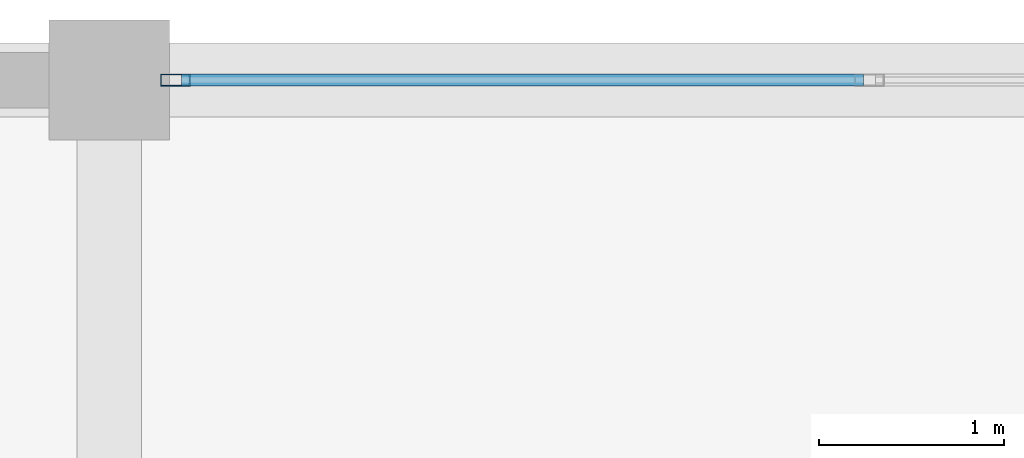
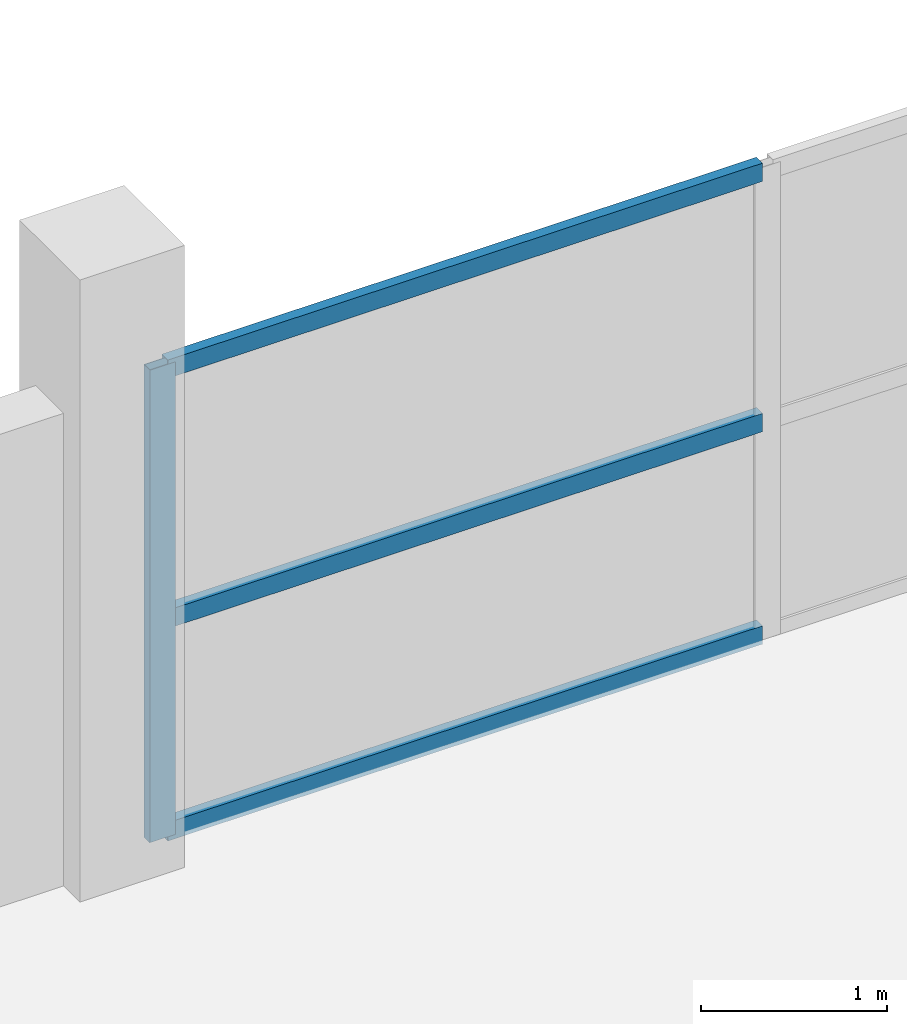
# One storey, part 48 of 66: 4 members, 1 element without a shape of its own.
"""IFC4 building model written with IfcOpenShell, lengths in metres."""

from ifc_helpers import new_model, si_unit, direction, frame, origin, origin_2d, place, context, subcontext, project, spatial, hollow_rectangle, extrude, material, layer, layer_set, material_profile, profile_set, type_object, element, aggregate, save


model = new_model("IFC4")

# Units and contexts
model_context = context("Model", 3, precision=1e-05, world=origin(), true_north=direction((0.0, 1.0)))
body_context = subcontext(model_context, "Body", "Model", "MODEL_VIEW")
ifc_project = project(units=[si_unit("LENGTHUNIT", "METRE"), si_unit("AREAUNIT", "SQUARE_METRE"), si_unit("VOLUMEUNIT", "CUBIC_METRE"), si_unit("PLANEANGLEUNIT", "RADIAN"), si_unit("MASSUNIT", "GRAM", prefix="KILO")], contexts=[model_context])

# Site, building, storey
site_placement = place(None, origin())
site = spatial("IfcSite", under=ifc_project, at=site_placement, CompositionType="ELEMENT")
building_placement = place(site_placement, origin())
building = spatial("IfcBuilding", under=site, at=building_placement, Name="Sillaruma Civic Art Gallery", CompositionType="ELEMENT")
storey_placement = place(building_placement, frame((0.0, 0.0, 62.219970703125)))
storey = spatial("IfcBuildingStorey", under=building, at=storey_placement, Name="L12", CompositionType="ELEMENT", Elevation=62.219970703125)

# Curtain wall, members
ifc_material = material(Name="Thermally Broken Extruded Aluminium 6063-T6", Category="aluminium")
ifc_layer = layer(ifc_material, 0.159912109375, Name="Thermally Broken Extruded Aluminium 6063-T6")
ifc_layer_set = layer_set([ifc_layer], Name="Thermally Broken Extruded Aluminium 6063-T6")
curtain_wall_type = type_object("IfcCurtainWallType", Name="CW-UNI-103", PredefinedType="NOTDEFINED", material=ifc_layer_set)
curtain_wall_placement = place(storey_placement, origin())
curtain_wall = element("IfcCurtainWall", 1, at=curtain_wall_placement, inside=storey, type_object=curtain_wall_type, Name="Unitised Curtain Wall CW-103 (CW-L12-EBN-2)", PredefinedType="NOTDEFINED")
ifc_material_profile_1 = material_profile(ifc_material, hollow_rectangle(XDim=0.06494140625, YDim=0.159912109375, WallThickness=0.00390625, at=origin_2d()), Name="CWM65x160")
ifc_profile_set_1 = profile_set([ifc_material_profile_1], Name="Thermally Broken Extruded Aluminium 6063-T6")
member_type_1 = type_object("IfcMemberType", Name="MEM-MUL-CWM65x160", PredefinedType="MULLION", material=ifc_profile_set_1)
member_1_placement = place(storey_placement, frame((106.5576171875, 99.0, 0.0), z_axis=(0.0, 0.0, 1.0), x_axis=(0.0, 1.0, 0.0)))
member_1 = element("IfcMember", 2, at=member_1_placement, type_object=member_type_1, Name="CW-103 mullion 1", PredefinedType="MULLION", context=body_context, shape_type="SweptSolid", body=[
    extrude(hollow_rectangle(XDim=0.06494140625, YDim=0.159912109375, WallThickness=0.00390625, at=origin_2d()), origin(), (0.0, 0.0, 1.0), 3.10009765625),
])
ifc_material_profile_2 = material_profile(ifc_material, hollow_rectangle(XDim=0.06494140625, YDim=0.1201171875, WallThickness=0.00341796875, at=origin_2d()), Name="CWT65x120")
ifc_profile_set_2 = profile_set([ifc_material_profile_2], Name="Thermally Broken Extruded Aluminium 6063-T6")
member_type_2 = type_object("IfcMemberType", Name="MEM-TRN-CWT65x120", PredefinedType="USERDEFINED", material=ifc_profile_set_2)
member_2_placement = place(storey_placement, frame((106.590087890625, 99.0, 0.032470703125), z_axis=(1.0, 0.0, 0.0), x_axis=(0.0, 1.0, 0.0)))
member_2 = element("IfcMember", 3, at=member_2_placement, type_object=member_type_2, Name="CW-103 transom 1.1", ObjectType="TRANSOM", PredefinedType="USERDEFINED", context=body_context, shape_type="SweptSolid", body=[
    extrude(hollow_rectangle(XDim=0.06494140625, YDim=0.1201171875, WallThickness=0.00341796875, at=origin_2d()), origin(), (0.0, 0.0, 1.0), 3.68994140625),
])
member_3_placement = place(storey_placement, frame((106.590087890625, 99.0, 1.426025390625), z_axis=(1.0, 0.0, 0.0), x_axis=(0.0, 1.0, 0.0)))
member_3 = element("IfcMember", 4, at=member_3_placement, type_object=member_type_2, Name="CW-103 transom 1.2", ObjectType="TRANSOM", PredefinedType="USERDEFINED", context=body_context, shape_type="SweptSolid", body=[
    extrude(hollow_rectangle(XDim=0.06494140625, YDim=0.1201171875, WallThickness=0.00341796875, at=origin_2d()), origin(), (0.0, 0.0, 1.0), 3.68994140625),
])
member_4_placement = place(storey_placement, frame((106.590087890625, 99.0, 3.067626953125), z_axis=(1.0, 0.0, 0.0), x_axis=(0.0, 1.0, 0.0)))
member_4 = element("IfcMember", 5, at=member_4_placement, type_object=member_type_2, Name="CW-103 transom 1.3", ObjectType="TRANSOM", PredefinedType="USERDEFINED", context=body_context, shape_type="SweptSolid", body=[
    extrude(hollow_rectangle(XDim=0.06494140625, YDim=0.1201171875, WallThickness=0.00341796875, at=origin_2d()), origin(), (0.0, 0.0, 1.0), 3.68994140625),
])
aggregate(curtain_wall, [member_1, member_2, member_3, member_4])

save(model, "model.ifc")
